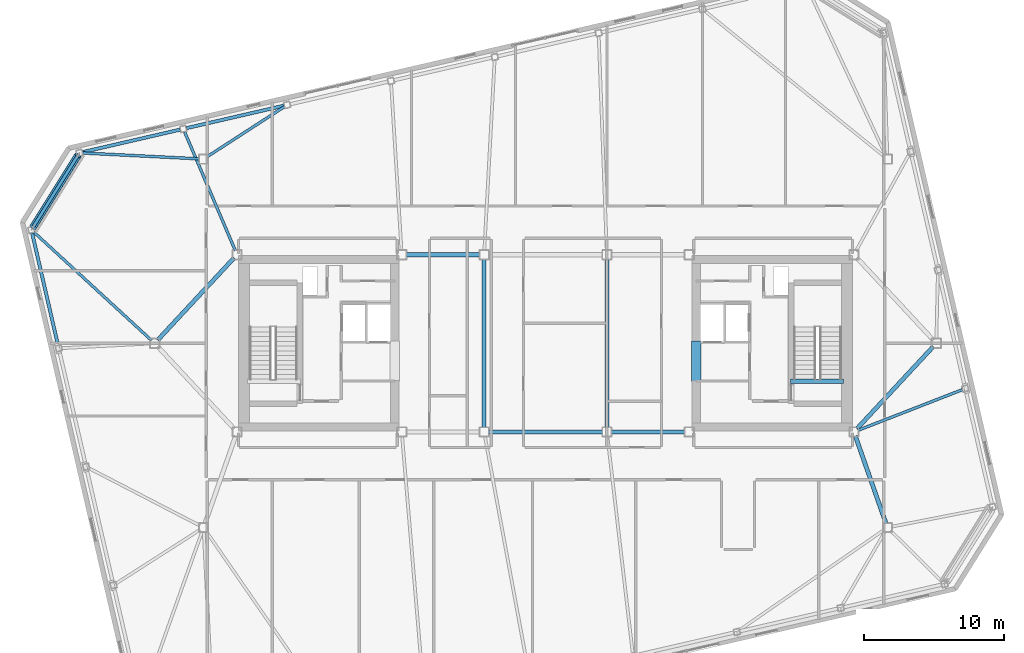
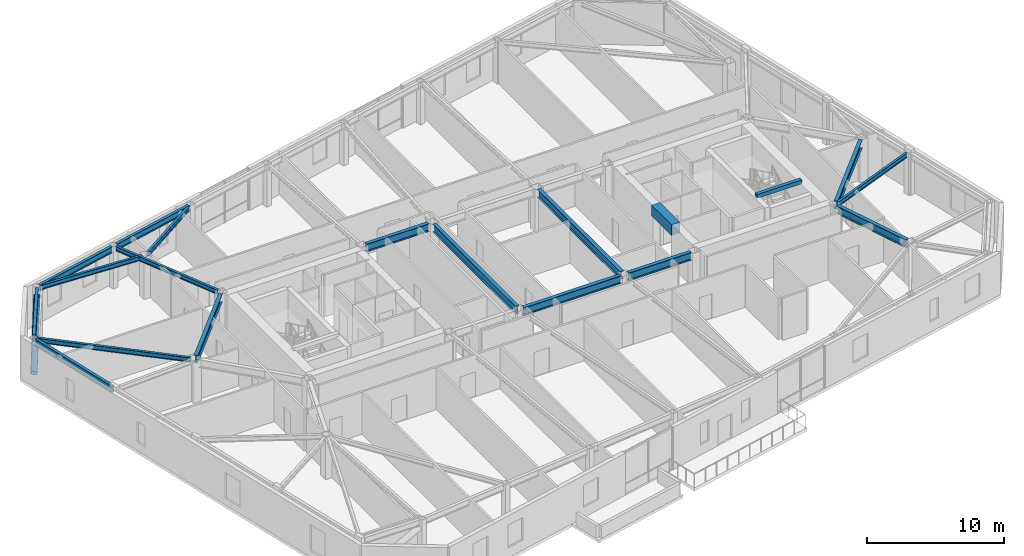
# One storey, part 10 of 23: 19 beams, 1 member.
"""IFC4 building model written with IfcOpenShell, lengths in metres."""

from ifc_helpers import new_model, si_unit, direction, frame, origin, origin_2d, place, context, subcontext, project, spatial, rectangle, hollow_circle, i_section, extrude, material, material_profile, profile_set, type_object, element, save


model = new_model("IFC4")

# Units and contexts
model_context = context("Model", 3, precision=1e-05, world=origin(), true_north=direction((0.0, 1.0)))
body_context = subcontext(model_context, "Body", "Model", "MODEL_VIEW")
ifc_project = project(units=[si_unit("LENGTHUNIT", "METRE"), si_unit("AREAUNIT", "SQUARE_METRE"), si_unit("VOLUMEUNIT", "CUBIC_METRE"), si_unit("PLANEANGLEUNIT", "RADIAN"), si_unit("MASSUNIT", "GRAM", prefix="KILO")], contexts=[model_context])

# Site, building, storey
site_placement = place(None, origin())
site = spatial("IfcSite", under=ifc_project, at=site_placement, CompositionType="ELEMENT")
building_placement = place(site_placement, origin())
building = spatial("IfcBuilding", under=site, at=building_placement, Name="Tavrogorsk Clinical Tower", CompositionType="ELEMENT")
storey_placement = place(building_placement, frame((0.0, 0.0, 289.0)))
storey = spatial("IfcBuildingStorey", under=building, at=storey_placement, Name="L67", CompositionType="ELEMENT", Elevation=289.0)

# Beam
ifc_material_1 = material(Name="Concrete B80", Category="concrete")
ifc_material_profile_1 = material_profile(ifc_material_1, rectangle(XDim=0.699951171875, YDim=0.949951171875, at=origin_2d()), Name="RC-CB-700x950")
ifc_profile_set_1 = profile_set([ifc_material_profile_1], Name="Concrete B80")
beam_type_1 = type_object("IfcBeamType", Name="CouplingBeam_RC700x950", PredefinedType="LINTEL", material=ifc_profile_set_1)
beam_1_placement = place(storey_placement, frame((10.800048828125, -2.75, 3.264892578125), z_axis=(0.0, 1.0, 0.0), x_axis=(-1.0, 0.0, 0.0)))
element("IfcBeam", 1, at=beam_1_placement, inside=storey, type_object=beam_type_1, Name="L67 Core East Coupling Beam", PredefinedType="LINTEL", context=body_context, shape_type="SweptSolid", body=[
    extrude(rectangle(XDim=0.699951171875, YDim=0.949951171875, at=origin_2d()), origin(), (0.0, 0.0, 1.0), 2.89990234375),
])

# Member
ifc_material_2 = material(Name="Structural steel S440", Category="steel")
ifc_material_profile_2 = material_profile(ifc_material_2, hollow_circle(Radius=0.25390625, WallThickness=0.02001953125, at=origin_2d()), Name="CHS-508x20")
ifc_profile_set_2 = profile_set([ifc_material_profile_2], Name="Structural steel S440")
member_type = type_object("IfcMemberType", Name="ExoBrace_CHS508", PredefinedType="BRACE", material=ifc_profile_set_2)
member_placement = place(storey_placement, frame((-36.72265625, 8.30908203125, 0.393310546875), z_axis=(0.485643868835, 0.777221605895, 0.400095748531), x_axis=(-0.848056967697, 0.529905066536, 0.0)))
element("IfcMember", 2, at=member_placement, inside=storey, type_object=member_type, Name="L67 Corner Exoskeleton Brace N8-W1", PredefinedType="BRACE", context=body_context, shape_type="SweptSolid", body=[
    extrude(hollow_circle(Radius=0.25390625, WallThickness=0.02001953125, at=origin_2d()), origin(), (0.0, 0.0, 1.0), 6.63232421875),
])

# Beams
ifc_material_3 = material(Name="Structural steel S355", Category="steel")
ifc_material_profile_3 = material_profile(ifc_material_3, i_section(OverallWidth=0.199951171875, OverallDepth=0.39990234375, WebThickness=0.010498046875, FlangeThickness=0.01611328125, at=origin_2d()), Name="B-400x200x10.5x16")
ifc_profile_set_3 = profile_set([ifc_material_profile_3], Name="Structural steel S355")
beam_type_2 = type_object("IfcBeamType", Name="FloorBeam_B400", PredefinedType="BEAM", material=ifc_profile_set_3)
beam_2_placement = place(storey_placement, frame((-24.23974609375, 13.36865234375, 3.5400390625), z_axis=(0.839287867478, 0.543687295699, 0.0), x_axis=(-0.543687295699, 0.839287867478, 0.0)))
element("IfcBeam", 3, at=beam_2_placement, inside=storey, type_object=beam_type_2, Name="L67 Radial Floor Beam N6", PredefinedType="BEAM", context=body_context, shape_type="SweptSolid", body=[
    extrude(i_section(OverallWidth=0.199951171875, OverallDepth=0.39990234375, WebThickness=0.010498046875, FlangeThickness=0.01611328125, at=origin_2d()), origin(), (0.0, 0.0, 1.0), 6.592529296875),
])
beam_3_placement = place(storey_placement, frame((-22.2216796875, 6.635009765625, 3.5400390625), z_axis=(-0.392852744382, 0.919601392578, 0.0), x_axis=(-0.919601392578, -0.392852744382, 0.0)))
element("IfcBeam", 4, at=beam_3_placement, inside=storey, type_object=beam_type_2, Name="L67 Radial Floor Beam N7", PredefinedType="BEAM", context=body_context, shape_type="SweptSolid", body=[
    extrude(i_section(OverallWidth=0.199951171875, OverallDepth=0.39990234375, WebThickness=0.010498046875, FlangeThickness=0.01611328125, at=origin_2d()), origin(), (0.0, 0.0, 1.0), 9.25732421875),
])
beam_4_placement = place(storey_placement, frame((-24.8095703125, 13.215576171875, 3.5400390625), z_axis=(-0.998749933549, 0.049985700304, 0.0), x_axis=(-0.049985700304, -0.998749933549, 0.0)))
element("IfcBeam", 5, at=beam_4_placement, inside=storey, type_object=beam_type_2, Name="L67 Radial Floor Beam N8", PredefinedType="BEAM", context=body_context, shape_type="SweptSolid", body=[
    extrude(i_section(OverallWidth=0.199951171875, OverallDepth=0.39990234375, WebThickness=0.010498046875, FlangeThickness=0.01611328125, at=origin_2d()), origin(), (0.0, 0.0, 1.0), 8.35693359375),
])
beam_5_placement = place(storey_placement, frame((22.388916015625, -6.237548828125, 3.5400390625), z_axis=(0.931736989786, 0.363133834647, 0.0), x_axis=(-0.363133834647, 0.931736989786, 0.0)))
element("IfcBeam", 6, at=beam_5_placement, inside=storey, type_object=beam_type_2, Name="L67 Radial Floor Beam E2", PredefinedType="BEAM", context=body_context, shape_type="SweptSolid", body=[
    extrude(i_section(OverallWidth=0.199951171875, OverallDepth=0.39990234375, WebThickness=0.010498046875, FlangeThickness=0.01611328125, at=origin_2d()), origin(), (0.0, 0.0, 1.0), 8.01806640625),
])
beam_6_placement = place(storey_placement, frame((-28.228271484375, 0.2099609375, 3.5400390625), z_axis=(-0.735959452605, 0.677025615557, 0.0), x_axis=(-0.677025615557, -0.735959452605, 0.0)))
element("IfcBeam", 7, at=beam_6_placement, inside=storey, type_object=beam_type_2, Name="L67 Radial Floor Beam W1", PredefinedType="BEAM", context=body_context, shape_type="SweptSolid", body=[
    extrude(i_section(OverallWidth=0.199951171875, OverallDepth=0.39990234375, WebThickness=0.010498046875, FlangeThickness=0.01611328125, at=origin_2d()), origin(), (0.0, 0.0, 1.0), 11.462646484375),
])
ifc_material_4 = material(Name="Structural steel S390", Category="steel")
ifc_material_profile_4 = material_profile(ifc_material_4, i_section(OverallWidth=0.300048828125, OverallDepth=0.699951171875, WebThickness=0.01708984375, FlangeThickness=0.028076171875, at=origin_2d()), Name="B-700x300x17x28")
ifc_profile_set_4 = profile_set([ifc_material_profile_4], Name="Structural steel S390")
beam_type_3 = type_object("IfcBeamType", Name="PrimaryGirder_B700", PredefinedType="USERDEFINED", material=ifc_profile_set_4)
beam_7_placement = place(storey_placement, frame((-9.989990234375, 6.35009765625, 3.389892578125), z_axis=(1.0, 0.0, 0.0), x_axis=(0.0, 1.0, 0.0)))
element("IfcBeam", 8, at=beam_7_placement, inside=storey, type_object=beam_type_3, Name="L67 Primary Spine Girder MG-02", ObjectType="GIRDER", PredefinedType="USERDEFINED", context=body_context, shape_type="SweptSolid", body=[
    extrude(i_section(OverallWidth=0.300048828125, OverallDepth=0.699951171875, WebThickness=0.01708984375, FlangeThickness=0.028076171875, at=origin_2d()), origin(), (0.0, 0.0, 1.0), 5.280029296875),
])
beam_8_placement = place(storey_placement, frame((-4.090087890625, -6.35009765625, 3.389892578125), z_axis=(1.0, 0.0, 0.0), x_axis=(0.0, 1.0, 0.0)))
element("IfcBeam", 9, at=beam_8_placement, inside=storey, type_object=beam_type_3, Name="L67 Primary Spine Girder MG-03", ObjectType="GIRDER", PredefinedType="USERDEFINED", context=body_context, shape_type="SweptSolid", body=[
    extrude(i_section(OverallWidth=0.300048828125, OverallDepth=0.699951171875, WebThickness=0.01708984375, FlangeThickness=0.028076171875, at=origin_2d()), origin(), (0.0, 0.0, 1.0), 8.18017578125),
])
beam_9_placement = place(storey_placement, frame((4.7099609375, -6.35009765625, 3.389892578125), z_axis=(1.0, 0.0, 0.0), x_axis=(0.0, 1.0, 0.0)))
element("IfcBeam", 10, at=beam_9_placement, inside=storey, type_object=beam_type_3, Name="L67 Primary Spine Girder MG-05", ObjectType="GIRDER", PredefinedType="USERDEFINED", context=body_context, shape_type="SweptSolid", body=[
    extrude(i_section(OverallWidth=0.300048828125, OverallDepth=0.699951171875, WebThickness=0.01708984375, FlangeThickness=0.028076171875, at=origin_2d()), origin(), (0.0, 0.0, 1.0), 5.280029296875),
])
for number, where, z_axis, x_axis, name in (
    (11, (-4.39990234375, -6.0400390625, 3.389892578125), (0.0, 1.0, 0.0), (-1.0, 0.0, 0.0), "L67 Primary Spine Girder MG-07"),
    (12, (4.39990234375, -6.0400390625, 3.389892578125), (0.0, 1.0, 0.0), (-1.0, 0.0, 0.0), "L67 Primary Spine Girder MG-08"),
):
    element("IfcBeam", number, at=place(storey_placement, frame(where, z_axis=z_axis, x_axis=x_axis)), inside=storey, type_object=beam_type_3, Name=name, ObjectType="GIRDER", PredefinedType="USERDEFINED", context=body_context, shape_type="SweptSolid", body=[
        extrude(i_section(OverallWidth=0.300048828125, OverallDepth=0.699951171875, WebThickness=0.01708984375, FlangeThickness=0.028076171875, at=origin_2d()), origin(), (0.0, 0.0, 1.0), 12.080078125),
    ])
beam_10_placement = place(storey_placement, frame((24.3974609375, -12.907470703125, 3.389892578125), z_axis=(-0.330666578092, 0.943747643246, 0.0), x_axis=(-0.943747643246, -0.330666578092, 0.0)))
element("IfcBeam", 13, at=beam_10_placement, inside=storey, type_object=beam_type_3, Name="L67 Spine Link Girder OPG-2", ObjectType="GIRDER", PredefinedType="USERDEFINED", context=body_context, shape_type="SweptSolid", body=[
    extrude(i_section(OverallWidth=0.300048828125, OverallDepth=0.699951171875, WebThickness=0.01708984375, FlangeThickness=0.028076171875, at=origin_2d()), origin(), (0.0, 0.0, 1.0), 6.638427734375),
])
for number, where, z_axis, x_axis, name in (
    (14, (-27.7890625, 0.22705078125, 3.389892578125), (0.680677963005, 0.732582767119, 0.0), (-0.732582767119, 0.680677963005, 0.0), "L67 Spine Link Girder OPG-6"),
    (15, (27.7890625, -0.22705078125, 3.389892578125), (-0.680677963005, -0.732582767119, 0.0), (0.732582767119, -0.680677963005, 0.0), "L67 Spine Link Girder OPG-7"),
):
    element("IfcBeam", number, at=place(storey_placement, frame(where, z_axis=z_axis, x_axis=x_axis)), inside=storey, type_object=beam_type_3, Name=name, ObjectType="GIRDER", PredefinedType="USERDEFINED", context=body_context, shape_type="SweptSolid", body=[
        extrude(i_section(OverallWidth=0.300048828125, OverallDepth=0.699951171875, WebThickness=0.01708984375, FlangeThickness=0.028076171875, at=origin_2d()), origin(), (0.0, 0.0, 1.0), 8.0478515625),
    ])
ifc_material_5 = material(Name="Structural steel S390", Category="steel")
ifc_material_profile_5 = material_profile(ifc_material_5, i_section(OverallWidth=0.239990234375, OverallDepth=0.550048828125, WebThickness=0.013916015625, FlangeThickness=0.02197265625, at=origin_2d()), Name="B-550x240x14x22")
ifc_profile_set_5 = profile_set([ifc_material_profile_5], Name="Structural steel S390")
beam_type_4 = type_object("IfcBeamType", Name="SpandrelBeam_B550", PredefinedType="SPANDREL", material=ifc_profile_set_5)
beam_11_placement = place(storey_placement, frame((-18.73828125, 17.027099609375, 3.465087890625), z_axis=(-0.97437684326, -0.224921691527, 0.0), x_axis=(0.224921691527, -0.97437684326, 0.0)))
element("IfcBeam", 16, at=beam_11_placement, inside=storey, type_object=beam_type_4, Name="L67 Perimeter Spandrel N6-N7", PredefinedType="SPANDREL", context=body_context, shape_type="SweptSolid", body=[
    extrude(i_section(OverallWidth=0.239990234375, OverallDepth=0.550048828125, WebThickness=0.013916015625, FlangeThickness=0.02197265625, at=origin_2d()), origin(), (0.0, 0.0, 1.0), 7.168212890625),
])
beam_12_placement = place(storey_placement, frame((-26.177001953125, 15.309814453125, 3.465087890625), z_axis=(-0.974369378592, -0.224954026551, 0.0), x_axis=(0.224954026551, -0.974369378592, 0.0)))
element("IfcBeam", 17, at=beam_12_placement, inside=storey, type_object=beam_type_4, Name="L67 Perimeter Spandrel N7-N8", PredefinedType="SPANDREL", context=body_context, shape_type="SweptSolid", body=[
    extrude(i_section(OverallWidth=0.239990234375, OverallDepth=0.550048828125, WebThickness=0.013916015625, FlangeThickness=0.02197265625, at=origin_2d()), origin(), (0.0, 0.0, 1.0), 7.16845703125),
])
beam_13_placement = place(storey_placement, frame((-33.511962890625, 13.447265625, 3.465087890625), z_axis=(-0.529933531413, -0.848039180866, 0.0), x_axis=(0.848039180866, -0.529933531413, 0.0)))
element("IfcBeam", 18, at=beam_13_placement, inside=storey, type_object=beam_type_4, Name="L67 Perimeter Spandrel N8-W1", PredefinedType="SPANDREL", context=body_context, shape_type="SweptSolid", body=[
    extrude(i_section(OverallWidth=0.239990234375, OverallDepth=0.550048828125, WebThickness=0.013916015625, FlangeThickness=0.02197265625, at=origin_2d()), origin(), (0.0, 0.0, 1.0), 6.039306640625),
])
beam_14_placement = place(storey_placement, frame((-36.783447265625, 7.901123046875, 3.465087890625), z_axis=(0.224950345141, -0.974370228517, 0.0), x_axis=(0.974370228517, 0.224950345141, 0.0)))
element("IfcBeam", 19, at=beam_14_placement, inside=storey, type_object=beam_type_4, Name="L67 Perimeter Spandrel W1-W2", PredefinedType="SPANDREL", context=body_context, shape_type="SweptSolid", body=[
    extrude(i_section(OverallWidth=0.239990234375, OverallDepth=0.550048828125, WebThickness=0.013916015625, FlangeThickness=0.02197265625, at=origin_2d()), origin(), (0.0, 0.0, 1.0), 8.243896484375),
])
ifc_material_6 = material(Name="Concrete B60", Category="concrete")
ifc_material_profile_6 = material_profile(ifc_material_6, rectangle(XDim=0.300048828125, YDim=0.35009765625, at=origin_2d()), Name="RC-SHB-300x350")
ifc_profile_set_6 = profile_set([ifc_material_profile_6], Name="Concrete B60")
beam_type_5 = type_object("IfcBeamType", Name="StairHeaderBeam_RC300x350", PredefinedType="BEAM", material=ifc_profile_set_6)
beam_15_placement = place(storey_placement, frame((17.550048828125, -2.719970703125, 3.824951171875), z_axis=(1.0, 0.0, 0.0), x_axis=(0.0, 1.0, 0.0)))
element("IfcBeam", 20, at=beam_15_placement, inside=storey, type_object=beam_type_5, Name="L68 ST-E Landing Header Beam", PredefinedType="BEAM", context=body_context, shape_type="SweptSolid", body=[
    extrude(rectangle(XDim=0.300048828125, YDim=0.35009765625, at=origin_2d()), origin(), (0.0, 0.0, 1.0), 3.800048828125),
])

save(model, "model.ifc")
